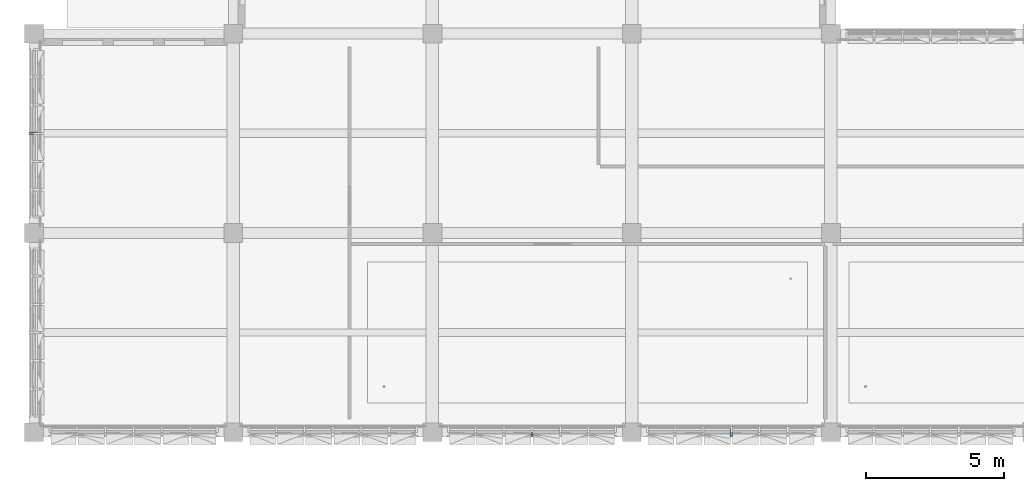
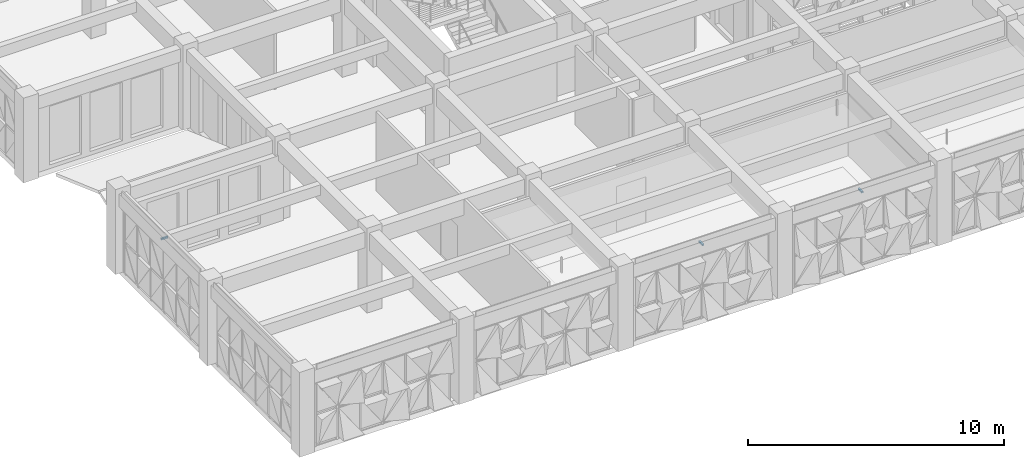
# One storey, part 56 of 88: 3 discrete accessories.
"""IFC4 building model written with IfcOpenShell, lengths in metres."""

from ifc_helpers import new_model, si_unit, direction, frame, origin, origin_2d, place, context, subcontext, project, spatial, rectangle, extrude, material, type_object, element, save


model = new_model("IFC4")

# Units and contexts
model_context = context("Model", 3, precision=1e-05, world=origin(), true_north=direction((0.0, 1.0)))
body_context = subcontext(model_context, "Body", "Model", "MODEL_VIEW")
ifc_project = project(units=[si_unit("LENGTHUNIT", "METRE"), si_unit("AREAUNIT", "SQUARE_METRE"), si_unit("VOLUMEUNIT", "CUBIC_METRE"), si_unit("PLANEANGLEUNIT", "RADIAN"), si_unit("MASSUNIT", "GRAM", prefix="KILO")], contexts=[model_context])

# Site, building, storey
site_placement = place(None, origin())
site = spatial("IfcSite", under=ifc_project, at=site_placement, CompositionType="ELEMENT")
building_placement = place(site_placement, origin())
building = spatial("IfcBuilding", under=site, at=building_placement, Name="Alvorim Cloister Faculty of Sciences", CompositionType="ELEMENT")
storey_placement = place(building_placement, frame((0.0, 0.0, 4.5)))
storey = spatial("IfcBuildingStorey", under=building, at=storey_placement, Name="L01", CompositionType="ELEMENT", Elevation=4.5)

# Discrete accessories
ifc_material = material(Name="Aluminium Alloy 6063-T6", Category="aluminium")
discrete_accessory_type = type_object("IfcDiscreteAccessoryType", Name="ACC-DIAG-BAR", PredefinedType="BRACKET", material=ifc_material)
for number, where, z_axis, x_axis, name in (
    (1, (25.199951171875, 0.139892578125, 3.610107421875), (0.0, -1.0, 0.0), (1.0, 0.0, 0.0), "Slab-Edge Fascia Tie Bracket ACC-00421"),
    (2, (18.0, 0.139892578125, 3.610107421875), (0.0, -1.0, 0.0), (1.0, 0.0, 0.0), "Slab-Edge Fascia Tie Bracket ACC-00434"),
    (3, (0.139892578125, 10.800048828125, 3.610107421875), (-1.0, 0.0, 0.0), (0.0, -1.0, 0.0), "Slab-Edge Fascia Tie Bracket ACC-00486"),
):
    element("IfcDiscreteAccessory", number, at=place(storey_placement, frame(where, z_axis=z_axis, x_axis=x_axis)), inside=storey, type_object=discrete_accessory_type, Name=name, PredefinedType="BRACKET", context=body_context, shape_type="SweptSolid", body=[
        extrude(rectangle(XDim=0.080078125, YDim=0.080078125, at=origin_2d()), origin(), (0.0, 0.0, 1.0), 0.2998046875),
    ])

save(model, "model.ifc")
